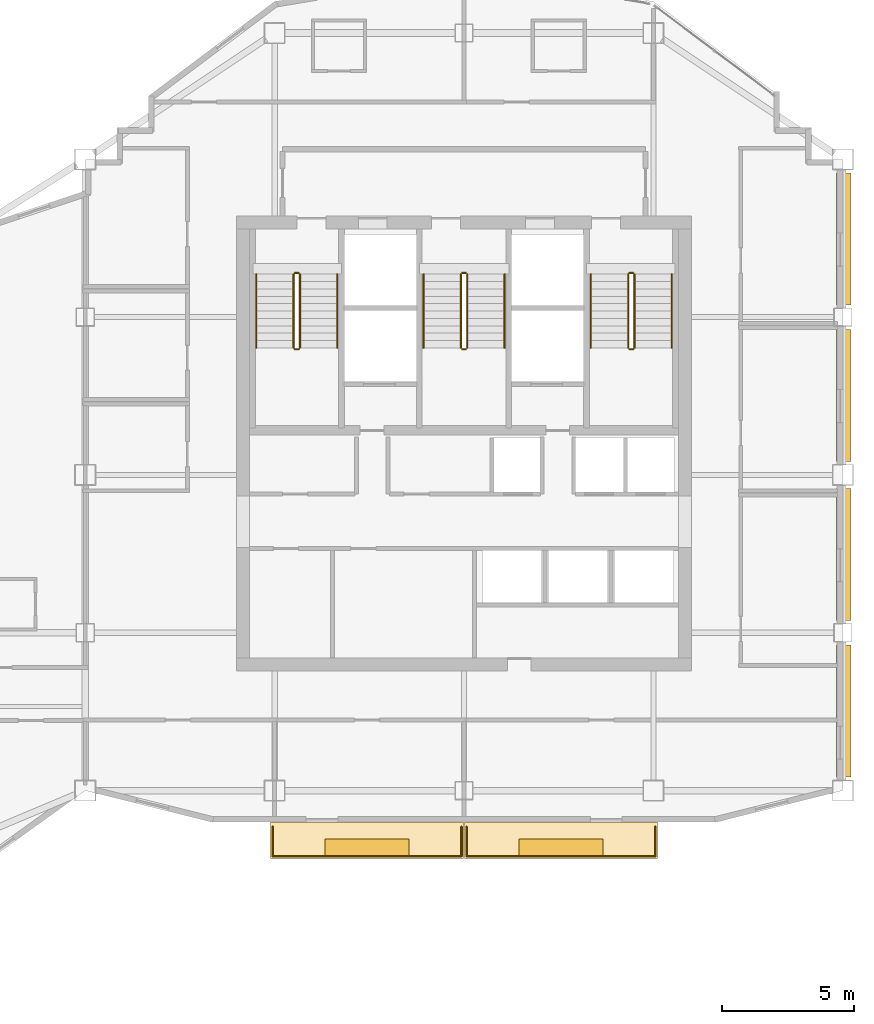
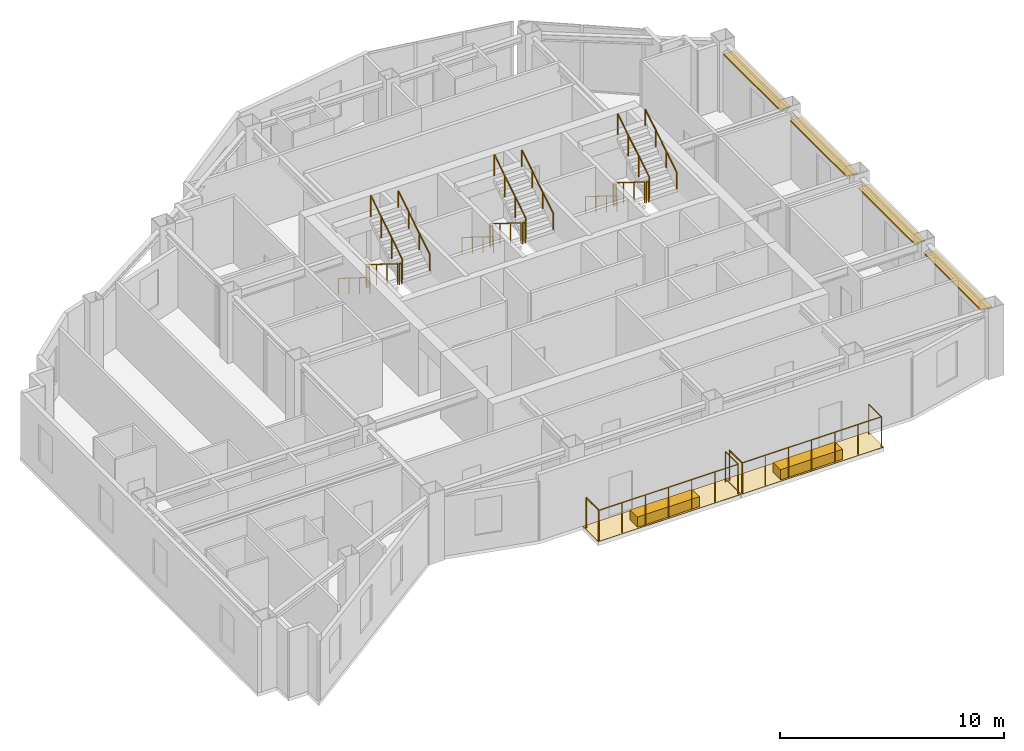
# One storey, part 9 of 9: 22 railings, 4 coverings, 4 shading devices.
"""IFC4 building model written with IfcOpenShell, lengths in metres."""

from ifc_helpers import new_model, si_unit, direction, frame, origin, origin_2d, place, context, subcontext, project, spatial, polyline, rectangle, circle, outline, extrude, material, layer, layer_set, type_object, element, save


model = new_model("IFC4")

# Units and contexts
model_context = context("Model", 3, precision=1e-05, world=origin(), true_north=direction((0.0, 1.0)))
body_context = subcontext(model_context, "Body", "Model", "MODEL_VIEW")
ifc_project = project(units=[si_unit("LENGTHUNIT", "METRE"), si_unit("AREAUNIT", "SQUARE_METRE"), si_unit("VOLUMEUNIT", "CUBIC_METRE"), si_unit("PLANEANGLEUNIT", "RADIAN"), si_unit("MASSUNIT", "GRAM", prefix="KILO")], contexts=[model_context])

# Site, building, storey
site_placement = place(None, origin())
site = spatial("IfcSite", under=ifc_project, at=site_placement, CompositionType="ELEMENT")
building_placement = place(site_placement, origin())
building = spatial("IfcBuilding", under=site, at=building_placement, Name="Haolan Belvedere Tower", CompositionType="ELEMENT")
storey_placement = place(building_placement, frame((0.0, 0.0, 273.699951171875)))
storey = spatial("IfcBuildingStorey", under=building, at=storey_placement, Name="L69", CompositionType="ELEMENT", Elevation=273.699951171875)

# Coverings
ifc_material_1 = material(Name="Engineered lightweight planted garden soil substrate", Category="masonry")
ifc_layer_1 = layer(ifc_material_1, 0.550048828125, Name="Engineered lightweight planted garden soil substrate")
ifc_layer_set_1 = layer_set([ifc_layer_1], Name="Engineered lightweight planted garden soil substrate")
covering_type_1 = type_object("IfcCoveringType", Name="COV-PLANT-550", PredefinedType="MEMBRANE", material=ifc_layer_set_1)
for number, where, z_axis, x_axis, name in (
    (1, (34.715087890625, 19.43994140625, 0.0), (0.0, 0.0, 1.0), (1.0, 0.0, 0.0), "L69 structural tree balcony PLANTER box 1"),
    (2, (42.0849609375, 19.43994140625, 0.0), (0.0, 0.0, 1.0), (1.0, 0.0, 0.0), "L69 structural tree balcony PLANTER box 2"),
):
    element("IfcCovering", number, at=place(storey_placement, frame(where, z_axis=z_axis, x_axis=x_axis)), inside=storey, type_object=covering_type_1, Name=name, PredefinedType="MEMBRANE", context=body_context, shape_type="SweptSolid", body=[
        extrude(rectangle(XDim=3.199951171875, YDim=0.64990234375, at=origin_2d()), origin(), (0.0, 0.0, 1.0), 0.550048828125),
    ])
ifc_material_2 = material(Name="Elastomeric waterproof roofing membrane and stone pavers", Category="masonry")
ifc_layer_2 = layer(ifc_material_2, 0.02001953125, Name="Elastomeric waterproof roofing membrane and stone pavers")
ifc_layer_set_2 = layer_set([ifc_layer_2], Name="Elastomeric waterproof roofing membrane and stone pavers")
covering_type_2 = type_object("IfcCoveringType", Name="COV-ROOF-20", PredefinedType="ROOFING", material=ifc_layer_set_2)
covering_1_placement = place(storey_placement, frame((0.0, 0.0, -0.02001953125)))
element("IfcCovering", 3, at=covering_1_placement, inside=storey, type_object=covering_type_2, Name="L69 tree-balcony waterproof membrane 1", PredefinedType="ROOFING", context=body_context, shape_type="SweptSolid", body=[
    extrude(outline(polyline([(31.050048828125, 19.02001953125), (38.3798828125, 19.02001953125), (38.3798828125, 20.39990234375), (31.050048828125, 20.39990234375), (31.050048828125, 19.02001953125)])), origin(), (0.0, 0.0, 1.0), 0.02001953125),
])
covering_2_placement = place(storey_placement, frame((0.0, 0.0, -0.02001953125)))
element("IfcCovering", 4, at=covering_2_placement, inside=storey, type_object=covering_type_2, Name="L69 tree-balcony waterproof membrane 2", PredefinedType="ROOFING", context=body_context, shape_type="SweptSolid", body=[
    extrude(outline(polyline([(38.419921875, 19.02001953125), (45.75, 19.02001953125), (45.75, 20.39990234375), (38.419921875, 20.39990234375), (38.419921875, 19.02001953125)])), origin(), (0.0, 0.0, 1.0), 0.02001953125),
])

# Railings
ifc_material_3 = material(Name="Brushed stainless steel 304", Category="steel")
railing_type_1 = type_object("IfcRailingType", Name="RL-STAIR-GRD-1150", PredefinedType="GUARDRAIL", material=ifc_material_3)
railing_1_placement = place(storey_placement, frame((31.919921875, 41.22998046875, 0.175048828125)))
element("IfcRailing", 5, at=railing_1_placement, inside=storey, type_object=railing_type_1, Name="L69 ST1 stair guard 1", PredefinedType="GUARDRAIL", context=body_context, shape_type="SweptSolid", body=[
    extrude(circle(Radius=0.02392578125, at=origin_2d()), frame((0.0, 0.0, 1.1259765625), z_axis=(0.0, -0.848002457836, 0.529992293815), x_axis=(1.0, 0.0, 0.0)), (0.0, 0.0, 1.0), 3.302001953125),
    extrude(circle(Radius=0.02099609375, at=origin_2d()), origin(), (0.0, 0.0, 1.0), 1.101806640625),
    extrude(circle(Radius=0.02099609375, at=origin_2d()), frame((0.0, -0.933349609375, 0.583251953125)), (0.0, 0.0, 1.0), 1.101806640625),
    extrude(circle(Radius=0.02099609375, at=origin_2d()), frame((0.0, -1.86669921875, 1.166748046875)), (0.0, 0.0, 1.0), 1.101806640625),
    extrude(circle(Radius=0.02099609375, at=origin_2d()), frame((0.0, -2.800048828125, 1.75)), (0.0, 0.0, 1.0), 1.101806640625),
])
railing_2_placement = place(storey_placement, frame((31.969970703125, 38.3798828125, 1.925048828125)))
element("IfcRailing", 6, at=railing_2_placement, inside=storey, type_object=railing_type_1, Name="L69 ST1 stair guard 2", PredefinedType="GUARDRAIL", context=body_context, shape_type="SweptSolid", body=[
    extrude(circle(Radius=0.02392578125, at=origin_2d()), frame((0.0, 0.0, 1.1259765625), z_axis=(1.0, 0.0, 0.0), x_axis=(0.0, 1.0, 0.0)), (0.0, 0.0, 1.0), 0.14013671875),
    extrude(circle(Radius=0.02099609375, at=origin_2d()), origin(), (0.0, 0.0, 1.0), 1.101806640625),
    extrude(circle(Radius=0.02099609375, at=origin_2d()), frame((0.14013671875, 0.0, 0.0)), (0.0, 0.0, 1.0), 1.101806640625),
])
railing_3_placement = place(storey_placement, frame((32.159912109375, 38.429931640625, 2.10009765625)))
element("IfcRailing", 7, at=railing_3_placement, inside=storey, type_object=railing_type_1, Name="L69 ST1 stair guard 3", PredefinedType="GUARDRAIL", context=body_context, shape_type="SweptSolid", body=[
    extrude(circle(Radius=0.02392578125, at=origin_2d()), frame((0.0, 0.0, 1.1259765625), z_axis=(0.0, 0.848002457836, 0.529992293815), x_axis=(-1.0, 0.0, 0.0)), (0.0, 0.0, 1.0), 3.302001953125),
    extrude(circle(Radius=0.02099609375, at=origin_2d()), origin(), (0.0, 0.0, 1.0), 1.101806640625),
    extrude(circle(Radius=0.02099609375, at=origin_2d()), frame((0.0, 0.933349609375, 0.583251953125)), (0.0, 0.0, 1.0), 1.101806640625),
    extrude(circle(Radius=0.02099609375, at=origin_2d()), frame((0.0, 1.86669921875, 1.166748046875)), (0.0, 0.0, 1.0), 1.101806640625),
    extrude(circle(Radius=0.02099609375, at=origin_2d()), frame((0.0, 2.800048828125, 1.75)), (0.0, 0.0, 1.0), 1.101806640625),
])
railing_4_placement = place(storey_placement, frame((31.969970703125, 41.280029296875, 0.0)))
element("IfcRailing", 8, at=railing_4_placement, inside=storey, type_object=railing_type_1, Name="L69 ST1 stair guard 4", PredefinedType="GUARDRAIL", context=body_context, shape_type="SweptSolid", body=[
    extrude(circle(Radius=0.02392578125, at=origin_2d()), frame((0.0, 0.0, 1.1259765625), z_axis=(1.0, 0.0, 0.0), x_axis=(0.0, 1.0, 0.0)), (0.0, 0.0, 1.0), 0.14013671875),
    extrude(circle(Radius=0.02099609375, at=origin_2d()), origin(), (0.0, 0.0, 1.0), 1.101806640625),
    extrude(circle(Radius=0.02099609375, at=origin_2d()), frame((0.14013671875, 0.0, 0.0)), (0.0, 0.0, 1.0), 1.101806640625),
])
railing_5_placement = place(storey_placement, frame((38.280029296875, 41.22998046875, 0.175048828125)))
element("IfcRailing", 9, at=railing_5_placement, inside=storey, type_object=railing_type_1, Name="L69 ST3 stair guard 1", PredefinedType="GUARDRAIL", context=body_context, shape_type="SweptSolid", body=[
    extrude(circle(Radius=0.02392578125, at=origin_2d()), frame((0.0, 0.0, 1.1259765625), z_axis=(0.0, -0.848002457836, 0.529992293815), x_axis=(1.0, 0.0, 0.0)), (0.0, 0.0, 1.0), 3.302001953125),
    extrude(circle(Radius=0.02099609375, at=origin_2d()), origin(), (0.0, 0.0, 1.0), 1.101806640625),
    extrude(circle(Radius=0.02099609375, at=origin_2d()), frame((0.0, -0.933349609375, 0.583251953125)), (0.0, 0.0, 1.0), 1.101806640625),
    extrude(circle(Radius=0.02099609375, at=origin_2d()), frame((0.0, -1.86669921875, 1.166748046875)), (0.0, 0.0, 1.0), 1.101806640625),
    extrude(circle(Radius=0.02099609375, at=origin_2d()), frame((0.0, -2.800048828125, 1.75)), (0.0, 0.0, 1.0), 1.101806640625),
])
railing_6_placement = place(storey_placement, frame((38.330078125, 38.3798828125, 1.925048828125)))
element("IfcRailing", 10, at=railing_6_placement, inside=storey, type_object=railing_type_1, Name="L69 ST3 stair guard 2", PredefinedType="GUARDRAIL", context=body_context, shape_type="SweptSolid", body=[
    extrude(circle(Radius=0.02392578125, at=origin_2d()), frame((0.0, 0.0, 1.1259765625), z_axis=(1.0, 0.0, 0.0), x_axis=(0.0, 1.0, 0.0)), (0.0, 0.0, 1.0), 0.139892578125),
    extrude(circle(Radius=0.02099609375, at=origin_2d()), origin(), (0.0, 0.0, 1.0), 1.101806640625),
    extrude(circle(Radius=0.02099609375, at=origin_2d()), frame((0.139892578125, 0.0, 0.0)), (0.0, 0.0, 1.0), 1.101806640625),
])
railing_7_placement = place(storey_placement, frame((38.52001953125, 38.429931640625, 2.10009765625)))
element("IfcRailing", 11, at=railing_7_placement, inside=storey, type_object=railing_type_1, Name="L69 ST3 stair guard 3", PredefinedType="GUARDRAIL", context=body_context, shape_type="SweptSolid", body=[
    extrude(circle(Radius=0.02392578125, at=origin_2d()), frame((0.0, 0.0, 1.1259765625), z_axis=(0.0, 0.848002457836, 0.529992293815), x_axis=(-1.0, 0.0, 0.0)), (0.0, 0.0, 1.0), 3.302001953125),
    extrude(circle(Radius=0.02099609375, at=origin_2d()), origin(), (0.0, 0.0, 1.0), 1.101806640625),
    extrude(circle(Radius=0.02099609375, at=origin_2d()), frame((0.0, 0.933349609375, 0.583251953125)), (0.0, 0.0, 1.0), 1.101806640625),
    extrude(circle(Radius=0.02099609375, at=origin_2d()), frame((0.0, 1.86669921875, 1.166748046875)), (0.0, 0.0, 1.0), 1.101806640625),
    extrude(circle(Radius=0.02099609375, at=origin_2d()), frame((0.0, 2.800048828125, 1.75)), (0.0, 0.0, 1.0), 1.101806640625),
])
railing_8_placement = place(storey_placement, frame((38.330078125, 41.280029296875, 0.0)))
element("IfcRailing", 12, at=railing_8_placement, inside=storey, type_object=railing_type_1, Name="L69 ST3 stair guard 4", PredefinedType="GUARDRAIL", context=body_context, shape_type="SweptSolid", body=[
    extrude(circle(Radius=0.02392578125, at=origin_2d()), frame((0.0, 0.0, 1.1259765625), z_axis=(1.0, 0.0, 0.0), x_axis=(0.0, 1.0, 0.0)), (0.0, 0.0, 1.0), 0.139892578125),
    extrude(circle(Radius=0.02099609375, at=origin_2d()), origin(), (0.0, 0.0, 1.0), 1.101806640625),
    extrude(circle(Radius=0.02099609375, at=origin_2d()), frame((0.139892578125, 0.0, 0.0)), (0.0, 0.0, 1.0), 1.101806640625),
])
railing_9_placement = place(storey_placement, frame((44.639892578125, 41.22998046875, 0.175048828125)))
element("IfcRailing", 13, at=railing_9_placement, inside=storey, type_object=railing_type_1, Name="L69 ST2 stair guard 1", PredefinedType="GUARDRAIL", context=body_context, shape_type="SweptSolid", body=[
    extrude(circle(Radius=0.02392578125, at=origin_2d()), frame((0.0, 0.0, 1.1259765625), z_axis=(0.0, -0.848002457836, 0.529992293815), x_axis=(1.0, 0.0, 0.0)), (0.0, 0.0, 1.0), 3.302001953125),
    extrude(circle(Radius=0.02099609375, at=origin_2d()), origin(), (0.0, 0.0, 1.0), 1.101806640625),
    extrude(circle(Radius=0.02099609375, at=origin_2d()), frame((0.0, -0.933349609375, 0.583251953125)), (0.0, 0.0, 1.0), 1.101806640625),
    extrude(circle(Radius=0.02099609375, at=origin_2d()), frame((0.0, -1.86669921875, 1.166748046875)), (0.0, 0.0, 1.0), 1.101806640625),
    extrude(circle(Radius=0.02099609375, at=origin_2d()), frame((0.0, -2.800048828125, 1.75)), (0.0, 0.0, 1.0), 1.101806640625),
])
railing_10_placement = place(storey_placement, frame((44.68994140625, 38.3798828125, 1.925048828125)))
element("IfcRailing", 14, at=railing_10_placement, inside=storey, type_object=railing_type_1, Name="L69 ST2 stair guard 2", PredefinedType="GUARDRAIL", context=body_context, shape_type="SweptSolid", body=[
    extrude(circle(Radius=0.02392578125, at=origin_2d()), frame((0.0, 0.0, 1.1259765625), z_axis=(1.0, 0.0, 0.0), x_axis=(0.0, 1.0, 0.0)), (0.0, 0.0, 1.0), 0.14013671875),
    extrude(circle(Radius=0.02099609375, at=origin_2d()), origin(), (0.0, 0.0, 1.0), 1.101806640625),
    extrude(circle(Radius=0.02099609375, at=origin_2d()), frame((0.14013671875, 0.0, 0.0)), (0.0, 0.0, 1.0), 1.101806640625),
])
railing_11_placement = place(storey_placement, frame((44.8798828125, 38.429931640625, 2.10009765625)))
element("IfcRailing", 15, at=railing_11_placement, inside=storey, type_object=railing_type_1, Name="L69 ST2 stair guard 3", PredefinedType="GUARDRAIL", context=body_context, shape_type="SweptSolid", body=[
    extrude(circle(Radius=0.02392578125, at=origin_2d()), frame((0.0, 0.0, 1.1259765625), z_axis=(0.0, 0.848002457836, 0.529992293815), x_axis=(-1.0, 0.0, 0.0)), (0.0, 0.0, 1.0), 3.302001953125),
    extrude(circle(Radius=0.02099609375, at=origin_2d()), origin(), (0.0, 0.0, 1.0), 1.101806640625),
    extrude(circle(Radius=0.02099609375, at=origin_2d()), frame((0.0, 0.933349609375, 0.583251953125)), (0.0, 0.0, 1.0), 1.101806640625),
    extrude(circle(Radius=0.02099609375, at=origin_2d()), frame((0.0, 1.86669921875, 1.166748046875)), (0.0, 0.0, 1.0), 1.101806640625),
    extrude(circle(Radius=0.02099609375, at=origin_2d()), frame((0.0, 2.800048828125, 1.75)), (0.0, 0.0, 1.0), 1.101806640625),
])
railing_12_placement = place(storey_placement, frame((44.68994140625, 41.280029296875, 0.0)))
element("IfcRailing", 16, at=railing_12_placement, inside=storey, type_object=railing_type_1, Name="L69 ST2 stair guard 4", PredefinedType="GUARDRAIL", context=body_context, shape_type="SweptSolid", body=[
    extrude(circle(Radius=0.02392578125, at=origin_2d()), frame((0.0, 0.0, 1.1259765625), z_axis=(1.0, 0.0, 0.0), x_axis=(0.0, 1.0, 0.0)), (0.0, 0.0, 1.0), 0.14013671875),
    extrude(circle(Radius=0.02099609375, at=origin_2d()), origin(), (0.0, 0.0, 1.0), 1.101806640625),
    extrude(circle(Radius=0.02099609375, at=origin_2d()), frame((0.14013671875, 0.0, 0.0)), (0.0, 0.0, 1.0), 1.101806640625),
])
railing_type_2 = type_object("IfcRailingType", Name="RL-STAIR-HND-900", PredefinedType="HANDRAIL", material=ifc_material_3)
railing_13_placement = place(storey_placement, frame((30.5, 41.22998046875, 0.175048828125)))
element("IfcRailing", 17, at=railing_13_placement, inside=storey, type_object=railing_type_2, Name="L69 ST1 stair handrail 1", PredefinedType="HANDRAIL", context=body_context, shape_type="SweptSolid", body=[
    extrude(circle(Radius=0.02392578125, at=origin_2d()), frame((0.0, 0.0, 0.8759765625), z_axis=(0.0, -0.848002457836, 0.529992293815), x_axis=(1.0, 0.0, 0.0)), (0.0, 0.0, 1.0), 3.302001953125),
    extrude(circle(Radius=0.02099609375, at=origin_2d()), origin(), (0.0, 0.0, 1.0), 0.851806640625),
    extrude(circle(Radius=0.02099609375, at=origin_2d()), frame((0.0, -0.933349609375, 0.583251953125)), (0.0, 0.0, 1.0), 0.851806640625),
    extrude(circle(Radius=0.02099609375, at=origin_2d()), frame((0.0, -1.86669921875, 1.166748046875)), (0.0, 0.0, 1.0), 0.851806640625),
    extrude(circle(Radius=0.02099609375, at=origin_2d()), frame((0.0, -2.800048828125, 1.75)), (0.0, 0.0, 1.0), 0.851806640625),
])
railing_14_placement = place(storey_placement, frame((33.580078125, 38.429931640625, 2.10009765625)))
element("IfcRailing", 18, at=railing_14_placement, inside=storey, type_object=railing_type_2, Name="L69 ST1 stair handrail 2", PredefinedType="HANDRAIL", context=body_context, shape_type="SweptSolid", body=[
    extrude(circle(Radius=0.02392578125, at=origin_2d()), frame((0.0, 0.0, 0.8759765625), z_axis=(0.0, 0.848002457836, 0.529992293815), x_axis=(-1.0, 0.0, 0.0)), (0.0, 0.0, 1.0), 3.302001953125),
    extrude(circle(Radius=0.02099609375, at=origin_2d()), origin(), (0.0, 0.0, 1.0), 0.851806640625),
    extrude(circle(Radius=0.02099609375, at=origin_2d()), frame((0.0, 0.933349609375, 0.583251953125)), (0.0, 0.0, 1.0), 0.851806640625),
    extrude(circle(Radius=0.02099609375, at=origin_2d()), frame((0.0, 1.86669921875, 1.166748046875)), (0.0, 0.0, 1.0), 0.851806640625),
    extrude(circle(Radius=0.02099609375, at=origin_2d()), frame((0.0, 2.800048828125, 1.75)), (0.0, 0.0, 1.0), 0.851806640625),
])
railing_15_placement = place(storey_placement, frame((36.860107421875, 41.22998046875, 0.175048828125)))
element("IfcRailing", 19, at=railing_15_placement, inside=storey, type_object=railing_type_2, Name="L69 ST3 stair handrail 1", PredefinedType="HANDRAIL", context=body_context, shape_type="SweptSolid", body=[
    extrude(circle(Radius=0.02392578125, at=origin_2d()), frame((0.0, 0.0, 0.8759765625), z_axis=(0.0, -0.848002457836, 0.529992293815), x_axis=(1.0, 0.0, 0.0)), (0.0, 0.0, 1.0), 3.302001953125),
    extrude(circle(Radius=0.02099609375, at=origin_2d()), origin(), (0.0, 0.0, 1.0), 0.851806640625),
    extrude(circle(Radius=0.02099609375, at=origin_2d()), frame((0.0, -0.933349609375, 0.583251953125)), (0.0, 0.0, 1.0), 0.851806640625),
    extrude(circle(Radius=0.02099609375, at=origin_2d()), frame((0.0, -1.86669921875, 1.166748046875)), (0.0, 0.0, 1.0), 0.851806640625),
    extrude(circle(Radius=0.02099609375, at=origin_2d()), frame((0.0, -2.800048828125, 1.75)), (0.0, 0.0, 1.0), 0.851806640625),
])
railing_16_placement = place(storey_placement, frame((39.93994140625, 38.429931640625, 2.10009765625)))
element("IfcRailing", 20, at=railing_16_placement, inside=storey, type_object=railing_type_2, Name="L69 ST3 stair handrail 2", PredefinedType="HANDRAIL", context=body_context, shape_type="SweptSolid", body=[
    extrude(circle(Radius=0.02392578125, at=origin_2d()), frame((0.0, 0.0, 0.8759765625), z_axis=(0.0, 0.848002457836, 0.529992293815), x_axis=(-1.0, 0.0, 0.0)), (0.0, 0.0, 1.0), 3.302001953125),
    extrude(circle(Radius=0.02099609375, at=origin_2d()), origin(), (0.0, 0.0, 1.0), 0.851806640625),
    extrude(circle(Radius=0.02099609375, at=origin_2d()), frame((0.0, 0.933349609375, 0.583251953125)), (0.0, 0.0, 1.0), 0.851806640625),
    extrude(circle(Radius=0.02099609375, at=origin_2d()), frame((0.0, 1.86669921875, 1.166748046875)), (0.0, 0.0, 1.0), 0.851806640625),
    extrude(circle(Radius=0.02099609375, at=origin_2d()), frame((0.0, 2.800048828125, 1.75)), (0.0, 0.0, 1.0), 0.851806640625),
])
railing_17_placement = place(storey_placement, frame((43.219970703125, 41.22998046875, 0.175048828125)))
element("IfcRailing", 21, at=railing_17_placement, inside=storey, type_object=railing_type_2, Name="L69 ST2 stair handrail 1", PredefinedType="HANDRAIL", context=body_context, shape_type="SweptSolid", body=[
    extrude(circle(Radius=0.02392578125, at=origin_2d()), frame((0.0, 0.0, 0.8759765625), z_axis=(0.0, -0.848002457836, 0.529992293815), x_axis=(1.0, 0.0, 0.0)), (0.0, 0.0, 1.0), 3.302001953125),
    extrude(circle(Radius=0.02099609375, at=origin_2d()), origin(), (0.0, 0.0, 1.0), 0.851806640625),
    extrude(circle(Radius=0.02099609375, at=origin_2d()), frame((0.0, -0.933349609375, 0.583251953125)), (0.0, 0.0, 1.0), 0.851806640625),
    extrude(circle(Radius=0.02099609375, at=origin_2d()), frame((0.0, -1.86669921875, 1.166748046875)), (0.0, 0.0, 1.0), 0.851806640625),
    extrude(circle(Radius=0.02099609375, at=origin_2d()), frame((0.0, -2.800048828125, 1.75)), (0.0, 0.0, 1.0), 0.851806640625),
])
railing_18_placement = place(storey_placement, frame((46.300048828125, 38.429931640625, 2.10009765625)))
element("IfcRailing", 22, at=railing_18_placement, inside=storey, type_object=railing_type_2, Name="L69 ST2 stair handrail 2", PredefinedType="HANDRAIL", context=body_context, shape_type="SweptSolid", body=[
    extrude(circle(Radius=0.02392578125, at=origin_2d()), frame((0.0, 0.0, 0.8759765625), z_axis=(0.0, 0.848002457836, 0.529992293815), x_axis=(-1.0, 0.0, 0.0)), (0.0, 0.0, 1.0), 3.302001953125),
    extrude(circle(Radius=0.02099609375, at=origin_2d()), origin(), (0.0, 0.0, 1.0), 0.851806640625),
    extrude(circle(Radius=0.02099609375, at=origin_2d()), frame((0.0, 0.933349609375, 0.583251953125)), (0.0, 0.0, 1.0), 0.851806640625),
    extrude(circle(Radius=0.02099609375, at=origin_2d()), frame((0.0, 1.86669921875, 1.166748046875)), (0.0, 0.0, 1.0), 0.851806640625),
    extrude(circle(Radius=0.02099609375, at=origin_2d()), frame((0.0, 2.800048828125, 1.75)), (0.0, 0.0, 1.0), 0.851806640625),
])
ifc_material_4 = material(Name="Anodised aluminium and laminated glass balustrade", Category="aluminium")
railing_type_3 = type_object("IfcRailingType", Name="RL-TER-BAL-1150", PredefinedType="BALUSTRADE", material=ifc_material_4)
railing_19_placement = place(storey_placement, frame((31.1298828125, 19.10009765625, 0.0)))
element("IfcRailing", 23, at=railing_19_placement, inside=storey, type_object=railing_type_3, Name="L69 outdoor perimeter balustrade BAL-L69-1-1", PredefinedType="BALUSTRADE", context=body_context, shape_type="SweptSolid", body=[
    extrude(circle(Radius=0.02392578125, at=origin_2d()), frame((0.0, 0.0, 1.6259765625), z_axis=(0.0, 1.0, 0.0), x_axis=(-1.0, 0.0, 0.0)), (0.0, 0.0, 1.0), 1.119873046875),
    extrude(circle(Radius=0.02099609375, at=origin_2d()), origin(), (0.0, 0.0, 1.0), 1.601806640625),
    extrude(circle(Radius=0.02099609375, at=origin_2d()), frame((0.0, 1.119873046875, 0.0)), (0.0, 0.0, 1.0), 1.601806640625),
])
railing_20_placement = place(storey_placement, frame((38.300048828125, 20.219970703125, 0.0)))
element("IfcRailing", 24, at=railing_20_placement, inside=storey, type_object=railing_type_3, Name="L69 outdoor perimeter balustrade BAL-L69-1-2", PredefinedType="BALUSTRADE", context=body_context, shape_type="SweptSolid", body=[
    extrude(circle(Radius=0.02392578125, at=origin_2d()), frame((0.0, 0.0, 1.6259765625), z_axis=(0.0, -1.0, 0.0), x_axis=(1.0, 0.0, 0.0)), (0.0, 0.0, 1.0), 1.119873046875),
    extrude(circle(Radius=0.02392578125, at=origin_2d()), frame((0.0, -1.119873046875, 1.6259765625), z_axis=(-1.0, 0.0, 0.0), x_axis=(0.0, -1.0, 0.0)), (0.0, 0.0, 1.0), 7.170166015625),
    extrude(circle(Radius=0.02099609375, at=origin_2d()), origin(), (0.0, 0.0, 1.0), 1.601806640625),
    extrude(circle(Radius=0.02099609375, at=origin_2d()), frame((0.0, -1.119873046875, 0.0)), (0.0, 0.0, 1.0), 1.601806640625),
    extrude(circle(Radius=0.02099609375, at=origin_2d()), frame((-1.195068359375, -1.119873046875, 0.0)), (0.0, 0.0, 1.0), 1.601806640625),
    extrude(circle(Radius=0.02099609375, at=origin_2d()), frame((-2.39013671875, -1.119873046875, 0.0)), (0.0, 0.0, 1.0), 1.601806640625),
    extrude(circle(Radius=0.02099609375, at=origin_2d()), frame((-3.5849609375, -1.119873046875, 0.0)), (0.0, 0.0, 1.0), 1.601806640625),
    extrude(circle(Radius=0.02099609375, at=origin_2d()), frame((-4.780029296875, -1.119873046875, 0.0)), (0.0, 0.0, 1.0), 1.601806640625),
    extrude(circle(Radius=0.02099609375, at=origin_2d()), frame((-5.97509765625, -1.119873046875, 0.0)), (0.0, 0.0, 1.0), 1.601806640625),
    extrude(circle(Radius=0.02099609375, at=origin_2d()), frame((-7.170166015625, -1.119873046875, 0.0)), (0.0, 0.0, 1.0), 1.601806640625),
])
railing_21_placement = place(storey_placement, frame((38.5, 19.10009765625, 0.0)))
element("IfcRailing", 25, at=railing_21_placement, inside=storey, type_object=railing_type_3, Name="L69 outdoor perimeter balustrade BAL-L69-2-1", PredefinedType="BALUSTRADE", context=body_context, shape_type="SweptSolid", body=[
    extrude(circle(Radius=0.02392578125, at=origin_2d()), frame((0.0, 0.0, 1.6259765625), z_axis=(0.0, 1.0, 0.0), x_axis=(-1.0, 0.0, 0.0)), (0.0, 0.0, 1.0), 1.119873046875),
    extrude(circle(Radius=0.02099609375, at=origin_2d()), origin(), (0.0, 0.0, 1.0), 1.601806640625),
    extrude(circle(Radius=0.02099609375, at=origin_2d()), frame((0.0, 1.119873046875, 0.0)), (0.0, 0.0, 1.0), 1.601806640625),
])
railing_22_placement = place(storey_placement, frame((45.669921875, 20.219970703125, 0.0)))
element("IfcRailing", 26, at=railing_22_placement, inside=storey, type_object=railing_type_3, Name="L69 outdoor perimeter balustrade BAL-L69-2-2", PredefinedType="BALUSTRADE", context=body_context, shape_type="SweptSolid", body=[
    extrude(circle(Radius=0.02392578125, at=origin_2d()), frame((0.0, 0.0, 1.6259765625), z_axis=(0.0, -1.0, 0.0), x_axis=(1.0, 0.0, 0.0)), (0.0, 0.0, 1.0), 1.119873046875),
    extrude(circle(Radius=0.02392578125, at=origin_2d()), frame((0.0, -1.119873046875, 1.6259765625), z_axis=(-1.0, 0.0, 0.0), x_axis=(0.0, -1.0, 0.0)), (0.0, 0.0, 1.0), 7.169921875),
    extrude(circle(Radius=0.02099609375, at=origin_2d()), origin(), (0.0, 0.0, 1.0), 1.601806640625),
    extrude(circle(Radius=0.02099609375, at=origin_2d()), frame((0.0, -1.119873046875, 0.0)), (0.0, 0.0, 1.0), 1.601806640625),
    extrude(circle(Radius=0.02099609375, at=origin_2d()), frame((-1.195068359375, -1.119873046875, 0.0)), (0.0, 0.0, 1.0), 1.601806640625),
    extrude(circle(Radius=0.02099609375, at=origin_2d()), frame((-2.389892578125, -1.119873046875, 0.0)), (0.0, 0.0, 1.0), 1.601806640625),
    extrude(circle(Radius=0.02099609375, at=origin_2d()), frame((-3.5849609375, -1.119873046875, 0.0)), (0.0, 0.0, 1.0), 1.601806640625),
    extrude(circle(Radius=0.02099609375, at=origin_2d()), frame((-4.780029296875, -1.119873046875, 0.0)), (0.0, 0.0, 1.0), 1.601806640625),
    extrude(circle(Radius=0.02099609375, at=origin_2d()), frame((-5.974853515625, -1.119873046875, 0.0)), (0.0, 0.0, 1.0), 1.601806640625),
    extrude(circle(Radius=0.02099609375, at=origin_2d()), frame((-7.169921875, -1.119873046875, 0.0)), (0.0, 0.0, 1.0), 1.601806640625),
])

# Shading devices
ifc_material_5 = material(Name="Anodised champagne-silver aluminium 6063-T6", Category="aluminium")
ifc_layer_3 = layer(ifc_material_5, 0.080078125, Name="Anodised champagne-silver aluminium 6063-T6")
ifc_layer_set_3 = layer_set([ifc_layer_3], Name="Anodised champagne-silver aluminium 6063-T6")
shading_device_type = type_object("IfcShadingDeviceType", Name="SHD-SUN-550", PredefinedType="USERDEFINED", material=ifc_layer_set_3)
for number, where, z_axis, x_axis, name in (
    (27, (52.830078125, 24.625, 3.135009765625), (0.0, 0.0, 1.0), (0.0, 1.0, 0.0), "L69 pale-metal horizontal SUNSHADE band 3.1"),
    (28, (52.830078125, 30.574951171875, 3.135009765625), (0.0, 0.0, 1.0), (0.0, 1.0, 0.0), "L69 pale-metal horizontal SUNSHADE band 3.2"),
    (29, (52.830078125, 36.625, 3.135009765625), (0.0, 0.0, 1.0), (0.0, 1.0, 0.0), "L69 pale-metal horizontal SUNSHADE band 3.3"),
    (30, (52.830078125, 42.574951171875, 3.135009765625), (0.0, 0.0, 1.0), (0.0, 1.0, 0.0), "L69 pale-metal horizontal SUNSHADE band 3.4"),
):
    element("IfcShadingDevice", number, at=place(storey_placement, frame(where, z_axis=z_axis, x_axis=x_axis)), inside=storey, type_object=shading_device_type, Name=name, ObjectType="SUNSHADE", PredefinedType="USERDEFINED", context=body_context, shape_type="SweptSolid", body=[
        extrude(rectangle(XDim=5.02587890625, YDim=0.550048828125, at=origin_2d()), origin(), (0.0, 0.0, 1.0), 0.080078125),
    ])

save(model, "model.ifc")
